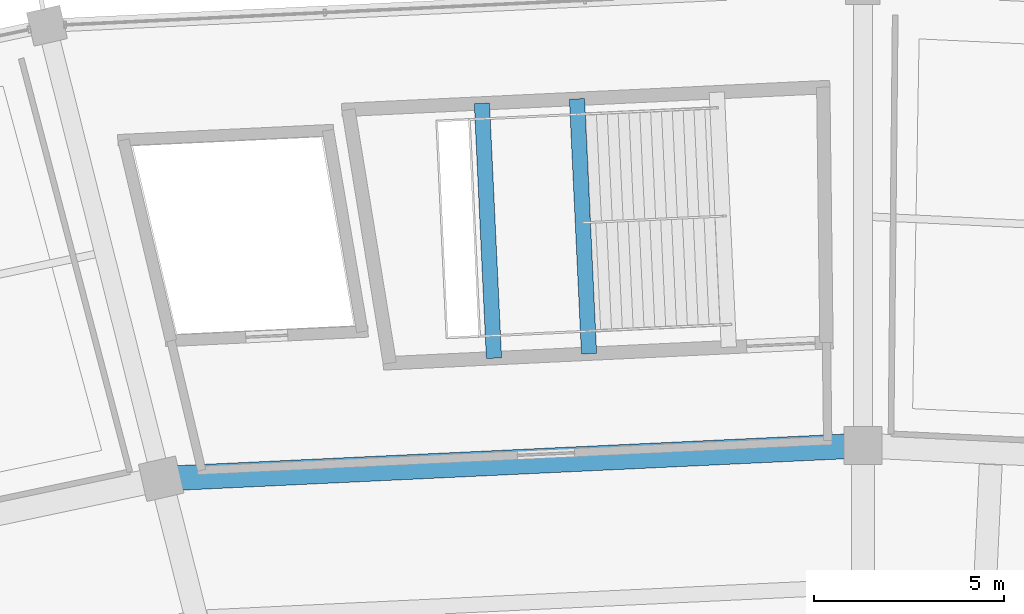
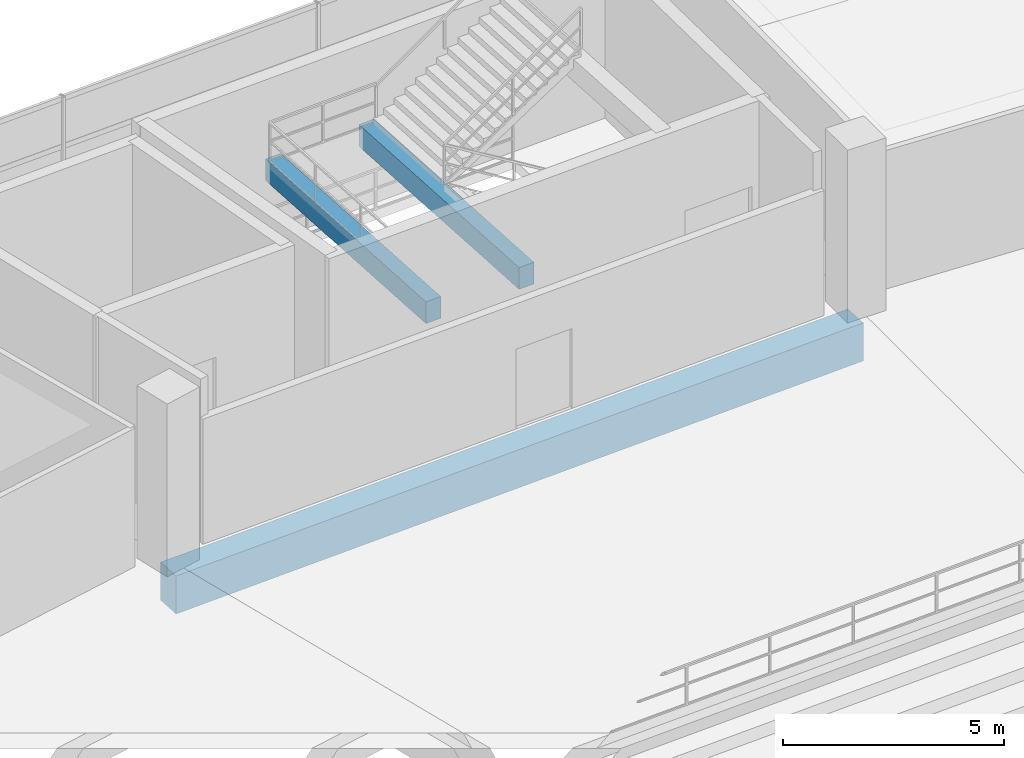
# One storey, part 80 of 156: 3 beams.
"""IFC4 building model written with IfcOpenShell, lengths in metres."""

from ifc_helpers import new_model, si_unit, direction, frame, origin, origin_2d, place, context, subcontext, project, spatial, rectangle, extrude, material, material_profile, profile_set, type_object, element, save


model = new_model("IFC4")

# Units and contexts
model_context = context("Model", 3, precision=1e-05, world=origin(), true_north=direction((0.0, 1.0)))
body_context = subcontext(model_context, "Body", "Model", "MODEL_VIEW")
ifc_project = project(units=[si_unit("LENGTHUNIT", "METRE"), si_unit("AREAUNIT", "SQUARE_METRE"), si_unit("VOLUMEUNIT", "CUBIC_METRE"), si_unit("PLANEANGLEUNIT", "RADIAN"), si_unit("MASSUNIT", "GRAM", prefix="KILO")], contexts=[model_context])

# Site, building, storey
site_placement = place(None, origin())
site = spatial("IfcSite", under=ifc_project, at=site_placement, CompositionType="ELEMENT")
building_placement = place(site_placement, origin())
building = spatial("IfcBuilding", under=site, at=building_placement, Name="Kazemori Nagisa Stadium", CompositionType="ELEMENT")
storey_placement = place(building_placement, frame((0.0, 0.0, 5.780029296875)))
storey = spatial("IfcBuildingStorey", under=building, at=storey_placement, Name="L01", CompositionType="ELEMENT", Elevation=5.780029296875)

# Beams
ifc_material = material(Name="Concrete C40/50 (Fc42)", Category="concrete")
ifc_material_profile_1 = material_profile(ifc_material, rectangle(XDim=0.39990234375, YDim=0.60009765625, at=origin_2d()), Name="RC-BM-400x600")
ifc_profile_set_1 = profile_set([ifc_material_profile_1], Name="Concrete C40/50 (Fc42)")
beam_type_1 = type_object("IfcBeamType", Name="Beam_BG-LND400X600", PredefinedType="BEAM", material=ifc_profile_set_1)
beam_1_placement = place(storey_placement, frame((115.8095703125, 178.3720703125, 1.8798828125), z_axis=(-0.047222374852, 0.998884401377, 0.0), x_axis=(-0.998884401377, -0.047222374852, 0.0)))
element("IfcBeam", 1, at=beam_1_placement, inside=storey, type_object=beam_type_1, Name="Core stair mid-landing girder ST05-L01-1", PredefinedType="BEAM", context=body_context, shape_type="SweptSolid", body=[
    extrude(rectangle(XDim=0.39990234375, YDim=0.60009765625, at=origin_2d()), origin(), (0.0, 0.0, 1.0), 6.700439453125),
])
beam_2_placement = place(storey_placement, frame((113.3125, 178.25390625, 1.8798828125), z_axis=(-0.047257010545, 0.998882763368, 0.0), x_axis=(-0.998882763368, -0.047257010545, 0.0)))
element("IfcBeam", 2, at=beam_2_placement, inside=storey, type_object=beam_type_1, Name="Core stair mid-landing girder ST05-L01-2", PredefinedType="BEAM", context=body_context, shape_type="SweptSolid", body=[
    extrude(rectangle(XDim=0.39990234375, YDim=0.60009765625, at=origin_2d()), origin(), (0.0, 0.0, 1.0), 6.70068359375),
])
ifc_material_profile_2 = material_profile(ifc_material, rectangle(XDim=0.64990234375, YDim=1.050048828125, at=origin_2d()), Name="RC-BM-650x1050")
ifc_profile_set_2 = profile_set([ifc_material_profile_2], Name="Concrete C40/50 (Fc42)")
beam_type_2 = type_object("IfcBeamType", Name="Beam_BG-RC650X1050", PredefinedType="BEAM", material=ifc_profile_set_2)
beam_3_placement = place(storey_placement, frame((123.0, 175.9599609375, -0.804931640625), z_axis=(-0.9988839804, -0.047231278829, 0.0), x_axis=(0.047231278829, -0.9988839804, 0.0)))
element("IfcBeam", 3, at=beam_3_placement, inside=storey, type_object=beam_type_2, Name="Ring girder BG-RC650X1050 L01 R2-08", PredefinedType="BEAM", context=body_context, shape_type="SweptSolid", body=[
    extrude(rectangle(XDim=0.64990234375, YDim=1.050048828125, at=origin_2d()), origin(), (0.0, 0.0, 1.0), 18.4482421875),
])

save(model, "model.ifc")
